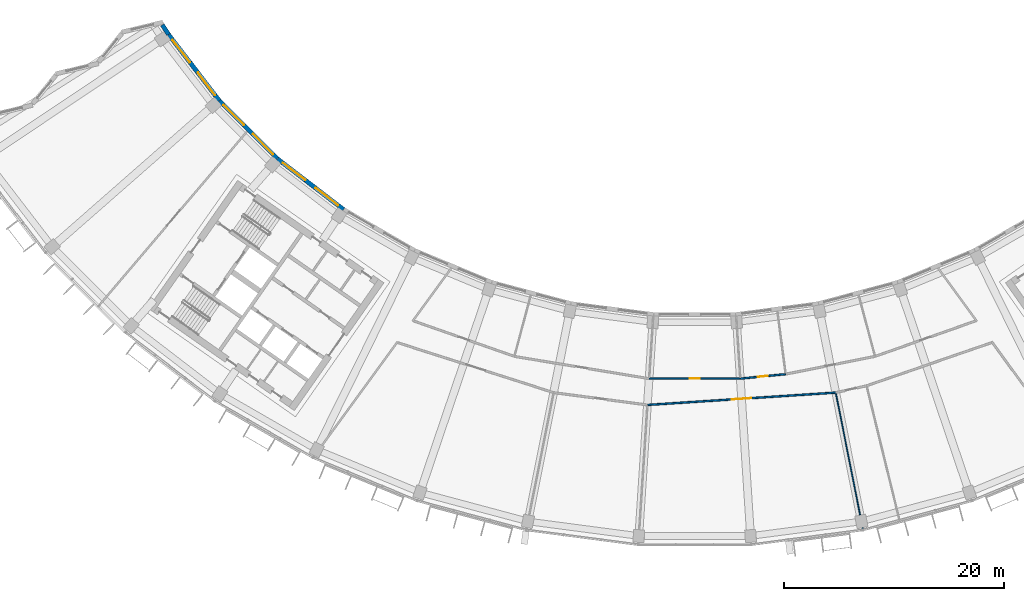
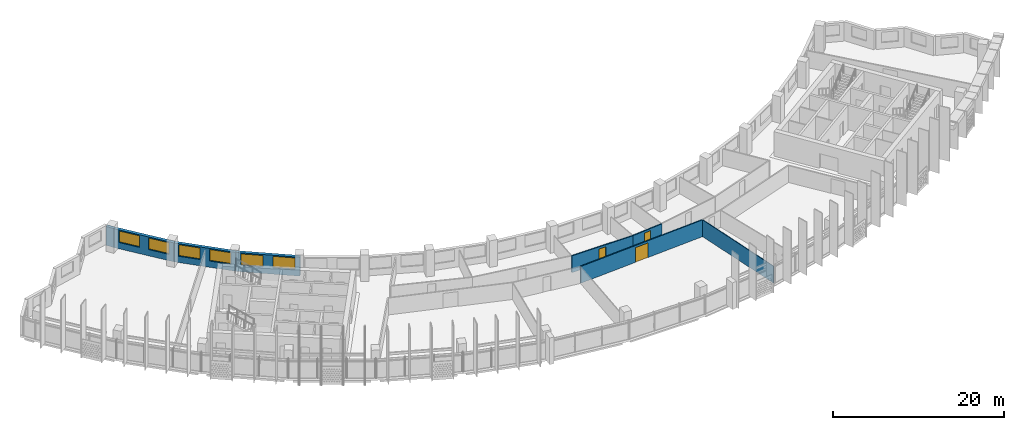
# One storey, part 5 of 27: 8 walls, 6 windows, 3 doors, 9 openings.
"""IFC4 building model written with IfcOpenShell, lengths in metres."""

from ifc_helpers import new_model, si_unit, direction, frame, frame_2d, origin, place, context, subcontext, project, spatial, rectangle, extrude, material, layer, layer_set, type_object, element, fill, save


model = new_model("IFC4")

# Units and contexts
model_context = context("Model", 3, precision=1e-05, world=origin(), true_north=direction((0.0, 1.0)))
body_context = subcontext(model_context, "Body", "Model", "MODEL_VIEW")
ifc_project = project(units=[si_unit("LENGTHUNIT", "METRE"), si_unit("AREAUNIT", "SQUARE_METRE"), si_unit("VOLUMEUNIT", "CUBIC_METRE"), si_unit("PLANEANGLEUNIT", "RADIAN"), si_unit("MASSUNIT", "GRAM", prefix="KILO")], contexts=[model_context])

# Site, building, storey
site_placement = place(None, origin())
site = spatial("IfcSite", under=ifc_project, at=site_placement, CompositionType="ELEMENT")
building_placement = place(site_placement, origin())
building = spatial("IfcBuilding", under=site, at=building_placement, Name="Qamariyya Broadcast Tower", CompositionType="ELEMENT")
storey_placement = place(building_placement, frame((0.0, 0.0, 211.300048828125)))
storey = spatial("IfcBuildingStorey", under=building, at=storey_placement, Name="L50", CompositionType="ELEMENT", Elevation=211.300048828125)

# Wall, opening, door
ifc_material_1 = material(Name="Gypsum board partition")
ifc_layer_1 = layer(ifc_material_1, 0.14990234375)
ifc_layer_set_1 = layer_set([ifc_layer_1], Name="Corridor partition 150 EI 60")
wall_type_1 = type_object("IfcWallType", Name="Corridor partition 150 EI 60", PredefinedType="PARTITIONING", material=ifc_layer_set_1)
wall_1_placement = place(storey_placement, frame((12.8369140625, -64.53564453125, 0.0), z_axis=(0.0, 0.0, 1.0), x_axis=(-0.997858561365, -0.065408650126, 0.0)))
wall_1 = element("IfcWall", 1, at=wall_1_placement, inside=storey, type_object=wall_type_1, Name="Partition L50-011", PredefinedType="PARTITIONING", context=body_context, shape_type="SweptSolid", body=[
    extrude(rectangle(XDim=17.17724609375, YDim=0.14990234375, at=frame_2d((8.588623046875, 0.0))), origin(), (0.0, 0.0, 1.0), 2.39990234375),
])
opening_1_placement = place(wall_1_placement, frame((7.688720703125, 0.0, 0.0)))
opening_1 = element("IfcOpeningElement", 2, at=opening_1_placement, cuts=wall_1, Name="Opening L50-D03", PredefinedType="OPENING", context=body_context, shape_type="SweptSolid", body=[
    extrude(rectangle(XDim=1.800048828125, YDim=2.10009765625, at=frame_2d((0.89990234375, 1.050048828125))), frame((0.0, 0.0849609375, 0.0), z_axis=(0.0, -1.0, 0.0), x_axis=(1.0, 0.0, 0.0)), (0.0, 0.0, 1.0), 0.169921875),
])
ifc_material_2 = material(Name="Timber fire door leaf", Category="wood")
door_type_1 = type_object("IfcDoorType", Name="Double fire door 1800 x 2100 FD60", OperationType="NOTDEFINED", PredefinedType="DOOR", material=ifc_material_2)
door_1_placement = place(opening_1_placement, origin())
door_1 = element("IfcDoor", 3, at=door_1_placement, inside=storey, type_object=door_type_1, Name="Door L50-D03", OperationType="DOUBLE_DOOR_SINGLE_SWING", OverallHeight=2.10009765625, OverallWidth=1.800048828125, PredefinedType="DOOR", context=body_context, shape_type="SweptSolid", body=[
    extrude(rectangle(XDim=1.800048828125, YDim=2.10009765625, at=frame_2d((0.89990234375, 1.050048828125))), frame((0.0, 0.02490234375, 0.0), z_axis=(0.0, -1.0, 0.0), x_axis=(1.0, 0.0, 0.0)), (0.0, 0.0, 1.0), 0.050048828125),
])
fill(opening_1, door_1)

wall_2_placement = place(storey_placement, frame((-4.146484375, -63.26416015625, 0.0), z_axis=(0.0, 0.0, 1.0), x_axis=(1.0, 0.0, 0.0)))
wall_2 = element("IfcWall", 4, at=wall_2_placement, inside=storey, type_object=wall_type_1, Name="Partition L50-012", PredefinedType="PARTITIONING", context=body_context, shape_type="SweptSolid", body=[
    extrude(rectangle(XDim=8.29296875, YDim=0.14990234375, at=frame_2d((4.146484375, 0.0))), origin(), (0.0, 0.0, 1.0), 2.39990234375),
])
opening_2_placement = place(wall_2_placement, frame((3.696533203125, 0.0, 0.0)))
opening_2 = element("IfcOpeningElement", 5, at=opening_2_placement, cuts=wall_2, Name="Opening L50-D08", PredefinedType="OPENING", context=body_context, shape_type="SweptSolid", body=[
    extrude(rectangle(XDim=0.89990234375, YDim=2.10009765625, at=frame_2d((0.449951171875, 1.050048828125))), frame((0.0, 0.0849609375, 0.0), z_axis=(0.0, -1.0, 0.0), x_axis=(1.0, 0.0, 0.0)), (0.0, 0.0, 1.0), 0.169921875),
])
door_type_2 = type_object("IfcDoorType", Name="Fire door 900 x 2100 FD60", OperationType="NOTDEFINED", PredefinedType="DOOR", material=ifc_material_2)
door_2_placement = place(opening_2_placement, origin())
door_2 = element("IfcDoor", 6, at=door_2_placement, inside=storey, type_object=door_type_2, Name="Door L50-D08", OperationType="SINGLE_SWING_RIGHT", OverallHeight=2.10009765625, OverallWidth=0.89990234375, PredefinedType="DOOR", context=body_context, shape_type="SweptSolid", body=[
    extrude(rectangle(XDim=0.89990234375, YDim=2.10009765625, at=frame_2d((0.449951171875, 1.050048828125))), frame((0.0, 0.02490234375, 0.0), z_axis=(0.0, -1.0, 0.0), x_axis=(1.0, 0.0, 0.0)), (0.0, 0.0, 1.0), 0.050048828125),
])
fill(opening_2, door_2)

wall_3_placement = place(storey_placement, frame((4.146484375, -63.26416015625, 0.0), z_axis=(0.0, 0.0, 1.0), x_axis=(0.995188667069, 0.097977124567, 0.0)))
wall_3 = element("IfcWall", 7, at=wall_3_placement, inside=storey, type_object=wall_type_1, Name="Partition L50-015", PredefinedType="PARTITIONING", context=body_context, shape_type="SweptSolid", body=[
    extrude(rectangle(XDim=4.14892578125, YDim=0.14990234375, at=frame_2d((2.074462890625, 0.0))), origin(), (0.0, 0.0, 1.0), 2.39990234375),
])
opening_3_placement = place(wall_3_placement, frame((1.62451171875, 0.0, 0.0)))
opening_3 = element("IfcOpeningElement", 8, at=opening_3_placement, cuts=wall_3, Name="Opening L50-D09", PredefinedType="OPENING", context=body_context, shape_type="SweptSolid", body=[
    extrude(rectangle(XDim=0.89990234375, YDim=2.10009765625, at=frame_2d((0.449951171875, 1.050048828125))), frame((0.0, 0.0849609375, 0.0), z_axis=(0.0, -1.0, 0.0), x_axis=(1.0, 0.0, 0.0)), (0.0, 0.0, 1.0), 0.169921875),
])
door_3_placement = place(opening_3_placement, origin())
door_3 = element("IfcDoor", 9, at=door_3_placement, inside=storey, type_object=door_type_2, Name="Door L50-D09", OperationType="SINGLE_SWING_RIGHT", OverallHeight=2.10009765625, OverallWidth=0.89990234375, PredefinedType="DOOR", context=body_context, shape_type="SweptSolid", body=[
    extrude(rectangle(XDim=0.89990234375, YDim=2.10009765625, at=frame_2d((0.449951171875, 1.050048828125))), frame((0.0, 0.02490234375, 0.0), z_axis=(0.0, -1.0, 0.0), x_axis=(1.0, 0.0, 0.0)), (0.0, 0.0, 1.0), 0.050048828125),
])
fill(opening_3, door_3)

# Walls
ifc_layer_2 = layer(ifc_material_1, 0.10009765625)
ifc_layer_set_2 = layer_set([ifc_layer_2], Name="Partition 100")
wall_type_2 = type_object("IfcWallType", Name="Partition 100", PredefinedType="PARTITIONING", material=ifc_layer_set_2)
wall_4_placement = place(storey_placement, frame((15.304931640625, -76.942626953125, 0.0), z_axis=(0.0, 0.0, 1.0), x_axis=(-0.195096765563, 0.98078399868, 0.0)))
element("IfcWall", 10, at=wall_4_placement, inside=storey, type_object=wall_type_2, Name="Partition L50-020", PredefinedType="PARTITIONING", context=body_context, shape_type="SweptSolid", body=[
    extrude(rectangle(XDim=12.5751953125, YDim=0.10009765625, at=frame_2d((6.28759765625, 0.0))), origin(), (0.0, 0.0, 1.0), 2.39990234375),
])
ifc_material_3 = material(Name="Terracotta", Category="masonry")
ifc_layer_3 = layer(ifc_material_3, 0.39990234375)
ifc_layer_set_3 = layer_set([ifc_layer_3], Name="Terracotta clad wall 400")
wall_type_3 = type_object("IfcWallType", Name="Terracotta clad wall 400", PredefinedType="SOLIDWALL", material=ifc_layer_set_3)
wall_5_placement = place(storey_placement, frame((-47.86474609375, -31.951904296875, 0.0), z_axis=(0.0, 0.0, 1.0), x_axis=(-0.545004879037, 0.838432872582, 0.0)))
element("IfcWall", 11, at=wall_5_placement, inside=storey, type_object=wall_type_3, Name="e-wl-L50-in00", PredefinedType="SOLIDWALL", context=body_context, shape_type="SweptSolid", body=[
    extrude(rectangle(XDim=1.038330078125, YDim=0.39990234375, at=frame_2d((0.51904296875, 0.0))), origin(), (0.0, 0.0, 1.0), 2.699951171875),
])

# Wall, openings, windows
wall_6_placement = place(storey_placement, frame((-43.25341796875, -37.965576171875, 0.0), z_axis=(0.0, 0.0, 1.0), x_axis=(-0.6087649226, 0.793350659552, 0.0)))
wall_6 = element("IfcWall", 12, at=wall_6_placement, inside=storey, type_object=wall_type_3, Name="e-wl-L50-in10", PredefinedType="SOLIDWALL", context=body_context, shape_type="SweptSolid", body=[
    extrude(rectangle(XDim=7.562744140625, YDim=0.39990234375, at=frame_2d((3.78125, 0.0))), origin(), (0.0, 0.0, 1.0), 2.699951171875),
])
opening_4_placement = place(wall_6_placement, frame((4.364501953125, 0.0, 0.89990234375)))
opening_4 = element("IfcOpeningElement", 13, at=opening_4_placement, cuts=wall_6, Name="Opening W1", PredefinedType="OPENING", context=body_context, shape_type="SweptSolid", body=[
    extrude(rectangle(XDim=2.60009765625, YDim=1.64990234375, at=frame_2d((1.300048828125, 0.824951171875))), frame((0.0, 0.2099609375, 0.0), z_axis=(0.0, -1.0, 0.0), x_axis=(1.0, 0.0, 0.0)), (0.0, 0.0, 1.0), 0.419921875),
])
opening_5_placement = place(wall_6_placement, frame((0.613525390625, 0.0, 0.89990234375)))
opening_5 = element("IfcOpeningElement", 14, at=opening_5_placement, cuts=wall_6, Name="Opening W1", PredefinedType="OPENING", context=body_context, shape_type="SweptSolid", body=[
    extrude(rectangle(XDim=2.60009765625, YDim=1.64990234375, at=frame_2d((1.300048828125, 0.824951171875))), frame((0.0, 0.2099609375, 0.0), z_axis=(0.0, -1.0, 0.0), x_axis=(1.0, 0.0, 0.0)), (0.0, 0.0, 1.0), 0.419921875),
])
ifc_material_4 = material(Name="Clear low-e double glazed unit in aluminium frame", Category="aluminium")
window_type = type_object("IfcWindowType", Name="Ribbon window 2600 x 1650", PartitioningType="SINGLE_PANEL", PredefinedType="WINDOW", material=ifc_material_4)
window_1_placement = place(opening_4_placement, origin())
window_1 = element("IfcWindow", 15, at=window_1_placement, inside=storey, type_object=window_type, Name="e-w-L50-in01-0", OverallHeight=1.64990234375, OverallWidth=2.60009765625, PartitioningType="SINGLE_PANEL", PredefinedType="WINDOW", context=body_context, shape_type="SweptSolid", body=[
    extrude(rectangle(XDim=2.60009765625, YDim=1.64990234375, at=frame_2d((1.300048828125, 0.824951171875))), frame((0.0, 0.030029296875, 0.0), z_axis=(0.0, -1.0, 0.0), x_axis=(1.0, 0.0, 0.0)), (0.0, 0.0, 1.0), 0.06005859375),
])
fill(opening_4, window_1)
window_2_placement = place(opening_5_placement, origin())
window_2 = element("IfcWindow", 16, at=window_2_placement, inside=storey, type_object=window_type, Name="e-w-L50-in01-1", OverallHeight=1.64990234375, OverallWidth=2.60009765625, PartitioningType="SINGLE_PANEL", PredefinedType="WINDOW", context=body_context, shape_type="SweptSolid", body=[
    extrude(rectangle(XDim=2.60009765625, YDim=1.64990234375, at=frame_2d((1.300048828125, 0.824951171875))), frame((0.0, 0.030029296875, 0.0), z_axis=(0.0, -1.0, 0.0), x_axis=(1.0, 0.0, 0.0)), (0.0, 0.0, 1.0), 0.06005859375),
])
fill(opening_5, window_2)

wall_7_placement = place(storey_placement, frame((-37.9814453125, -43.23291015625, 0.0), z_axis=(0.0, 0.0, 1.0), x_axis=(-0.707106781187, 0.707106781187, 0.0)))
wall_7 = element("IfcWall", 17, at=wall_7_placement, inside=storey, type_object=wall_type_3, Name="e-wl-L50-in20", PredefinedType="SOLIDWALL", context=body_context, shape_type="SweptSolid", body=[
    extrude(rectangle(XDim=7.4267578125, YDim=0.39990234375, at=frame_2d((3.71337890625, 0.0))), origin(), (0.0, 0.0, 1.0), 2.699951171875),
])
opening_6_placement = place(wall_7_placement, frame((4.28857421875, 0.0, 0.89990234375)))
opening_6 = element("IfcOpeningElement", 18, at=opening_6_placement, cuts=wall_7, Name="Opening W1", PredefinedType="OPENING", context=body_context, shape_type="SweptSolid", body=[
    extrude(rectangle(XDim=2.60009765625, YDim=1.64990234375, at=frame_2d((1.300048828125, 0.824951171875))), frame((0.0, 0.2099609375, 0.0), z_axis=(0.0, -1.0, 0.0), x_axis=(1.0, 0.0, 0.0)), (0.0, 0.0, 1.0), 0.419921875),
])
opening_7_placement = place(wall_7_placement, frame((0.537841796875, 0.0, 0.89990234375)))
opening_7 = element("IfcOpeningElement", 19, at=opening_7_placement, cuts=wall_7, Name="Opening W1", PredefinedType="OPENING", context=body_context, shape_type="SweptSolid", body=[
    extrude(rectangle(XDim=2.60009765625, YDim=1.64990234375, at=frame_2d((1.300048828125, 0.824951171875))), frame((0.0, 0.2099609375, 0.0), z_axis=(0.0, -1.0, 0.0), x_axis=(1.0, 0.0, 0.0)), (0.0, 0.0, 1.0), 0.419921875),
])
window_3_placement = place(opening_6_placement, origin())
window_3 = element("IfcWindow", 20, at=window_3_placement, inside=storey, type_object=window_type, Name="e-w-L50-in02-0", OverallHeight=1.64990234375, OverallWidth=2.60009765625, PartitioningType="SINGLE_PANEL", PredefinedType="WINDOW", context=body_context, shape_type="SweptSolid", body=[
    extrude(rectangle(XDim=2.60009765625, YDim=1.64990234375, at=frame_2d((1.300048828125, 0.824951171875))), frame((0.0, 0.030029296875, 0.0), z_axis=(0.0, -1.0, 0.0), x_axis=(1.0, 0.0, 0.0)), (0.0, 0.0, 1.0), 0.06005859375),
])
fill(opening_6, window_3)
window_4_placement = place(opening_7_placement, origin())
window_4 = element("IfcWindow", 21, at=window_4_placement, inside=storey, type_object=window_type, Name="e-w-L50-in02-1", OverallHeight=1.64990234375, OverallWidth=2.60009765625, PartitioningType="SINGLE_PANEL", PredefinedType="WINDOW", context=body_context, shape_type="SweptSolid", body=[
    extrude(rectangle(XDim=2.60009765625, YDim=1.64990234375, at=frame_2d((1.300048828125, 0.824951171875))), frame((0.0, 0.030029296875, 0.0), z_axis=(0.0, -1.0, 0.0), x_axis=(1.0, 0.0, 0.0)), (0.0, 0.0, 1.0), 0.06005859375),
])
fill(opening_7, window_4)

wall_8_placement = place(storey_placement, frame((-31.953369140625, -47.86669921875, 0.0), z_axis=(0.0, 0.0, 1.0), x_axis=(-0.793356365089, 0.608757486995, 0.0)))
wall_8 = element("IfcWall", 22, at=wall_8_placement, inside=storey, type_object=wall_type_3, Name="e-wl-L50-in30", PredefinedType="SOLIDWALL", context=body_context, shape_type="SweptSolid", body=[
    extrude(rectangle(XDim=7.578125, YDim=0.39990234375, at=frame_2d((3.7890625, 0.0))), origin(), (0.0, 0.0, 1.0), 2.699951171875),
])
opening_8_placement = place(wall_8_placement, frame((4.364501953125, 0.0, 0.89990234375)))
opening_8 = element("IfcOpeningElement", 23, at=opening_8_placement, cuts=wall_8, Name="Opening W1", PredefinedType="OPENING", context=body_context, shape_type="SweptSolid", body=[
    extrude(rectangle(XDim=2.60009765625, YDim=1.64990234375, at=frame_2d((1.300048828125, 0.824951171875))), frame((0.0, 0.2099609375, 0.0), z_axis=(0.0, -1.0, 0.0), x_axis=(1.0, 0.0, 0.0)), (0.0, 0.0, 1.0), 0.419921875),
])
opening_9_placement = place(wall_8_placement, frame((0.613525390625, 0.0, 0.89990234375)))
opening_9 = element("IfcOpeningElement", 24, at=opening_9_placement, cuts=wall_8, Name="Opening W1", PredefinedType="OPENING", context=body_context, shape_type="SweptSolid", body=[
    extrude(rectangle(XDim=2.60009765625, YDim=1.64990234375, at=frame_2d((1.300048828125, 0.824951171875))), frame((0.0, 0.2099609375, 0.0), z_axis=(0.0, -1.0, 0.0), x_axis=(1.0, 0.0, 0.0)), (0.0, 0.0, 1.0), 0.419921875),
])
window_5_placement = place(opening_8_placement, origin())
window_5 = element("IfcWindow", 25, at=window_5_placement, inside=storey, type_object=window_type, Name="e-w-L50-in03-0", OverallHeight=1.64990234375, OverallWidth=2.60009765625, PartitioningType="SINGLE_PANEL", PredefinedType="WINDOW", context=body_context, shape_type="SweptSolid", body=[
    extrude(rectangle(XDim=2.60009765625, YDim=1.64990234375, at=frame_2d((1.300048828125, 0.824951171875))), frame((0.0, 0.030029296875, 0.0), z_axis=(0.0, -1.0, 0.0), x_axis=(1.0, 0.0, 0.0)), (0.0, 0.0, 1.0), 0.06005859375),
])
fill(opening_8, window_5)
window_6_placement = place(opening_9_placement, origin())
window_6 = element("IfcWindow", 26, at=window_6_placement, inside=storey, type_object=window_type, Name="e-w-L50-in03-1", OverallHeight=1.64990234375, OverallWidth=2.60009765625, PartitioningType="SINGLE_PANEL", PredefinedType="WINDOW", context=body_context, shape_type="SweptSolid", body=[
    extrude(rectangle(XDim=2.60009765625, YDim=1.64990234375, at=frame_2d((1.300048828125, 0.824951171875))), frame((0.0, 0.030029296875, 0.0), z_axis=(0.0, -1.0, 0.0), x_axis=(1.0, 0.0, 0.0)), (0.0, 0.0, 1.0), 0.06005859375),
])
fill(opening_9, window_6)

save(model, "model.ifc")
